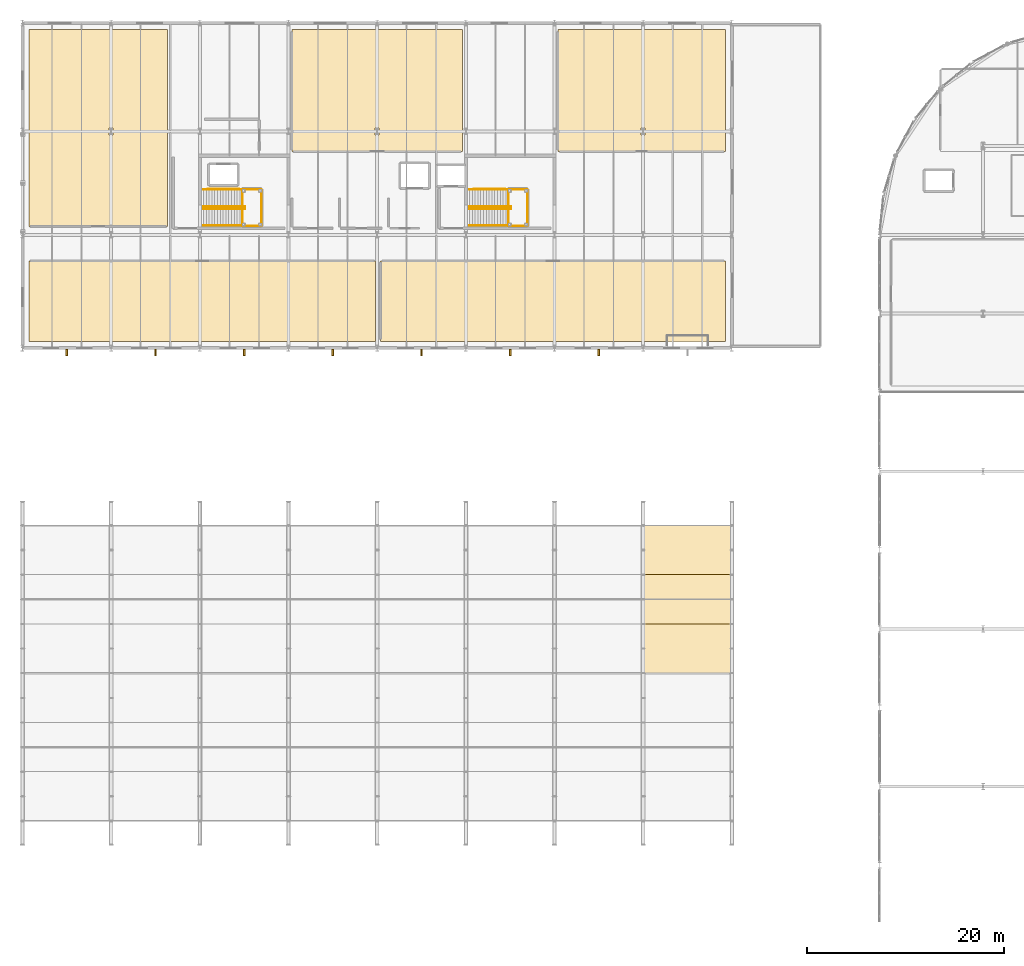
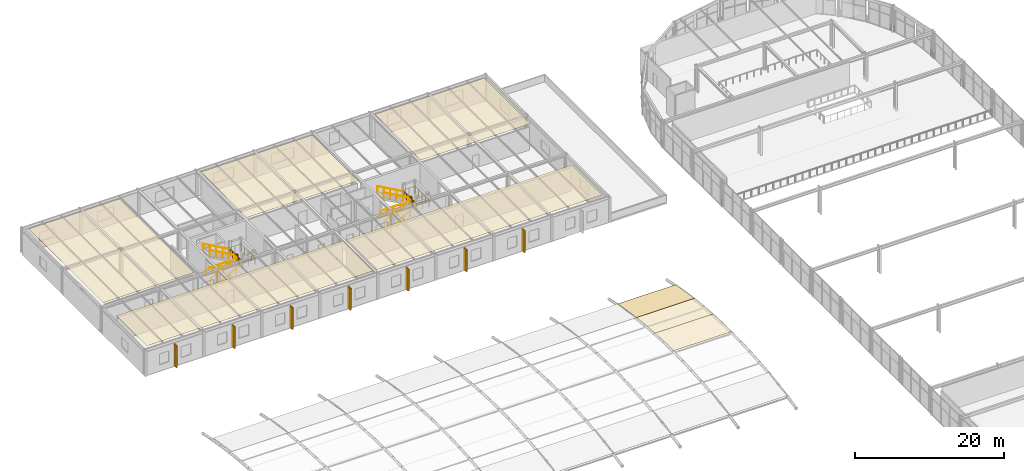
# One storey, part 91 of 105: 14 railings, 8 coverings, 7 shading devices.
"""IFC4 building model written with IfcOpenShell, lengths in metres."""

from ifc_helpers import new_model, si_unit, direction, frame, origin, origin_2d, place, context, subcontext, project, spatial, polyline, rectangle, circle, outline, extrude, material, layer, layer_set, type_object, element, save


model = new_model("IFC4")

# Units and contexts
model_context = context("Model", 3, precision=1e-05, world=origin(), true_north=direction((0.0, 1.0)))
body_context = subcontext(model_context, "Body", "Model", "MODEL_VIEW")
ifc_project = project(units=[si_unit("LENGTHUNIT", "METRE"), si_unit("AREAUNIT", "SQUARE_METRE"), si_unit("VOLUMEUNIT", "CUBIC_METRE"), si_unit("PLANEANGLEUNIT", "RADIAN"), si_unit("MASSUNIT", "GRAM", prefix="KILO")], contexts=[model_context])

# Site, building, storey
site_placement = place(None, origin())
site = spatial("IfcSite", under=ifc_project, at=site_placement, CompositionType="ELEMENT")
building_placement = place(site_placement, origin())
building = spatial("IfcBuilding", under=site, at=building_placement, Name="Marlcrest Central Station", CompositionType="ELEMENT")
storey_placement = place(building_placement, frame((0.0, 0.0, 15.0)))
storey = spatial("IfcBuildingStorey", under=building, at=storey_placement, Name="L03", CompositionType="ELEMENT", Elevation=15.0)

# Coverings
ifc_material_1 = material(Name="Perforated acoustic mineral-fibre ceiling")
ifc_layer_1 = layer(ifc_material_1, 0.02490234375, Name="CV-CLG")
ifc_layer_set_1 = layer_set([ifc_layer_1], Name="Perforated acoustic mineral-fibre ceiling")
covering_type_1 = type_object("IfcCoveringType", Name="CV-CLG", PredefinedType="CEILING", material=ifc_layer_set_1)
covering_1_placement = place(storey_placement, frame((0.0, 0.0, 4.175048828125)))
element("IfcCovering", 1, at=covering_1_placement, inside=storey, type_object=covering_type_1, Name="cov-clg-0125", PredefinedType="CEILING", context=body_context, shape_type="SweptSolid", body=[
    extrude(outline(polyline([(35.840087890625, 99.659912109375), (35.840087890625, 107.840087890625), (0.659912109375, 107.840087890625), (0.659912109375, 99.659912109375), (35.840087890625, 99.659912109375)])), origin(), (0.0, 0.0, 1.0), 0.02490234375),
])
covering_2_placement = place(storey_placement, frame((0.0, 0.0, 4.175048828125)))
element("IfcCovering", 2, at=covering_2_placement, inside=storey, type_object=covering_type_1, Name="cov-clg-0126", PredefinedType="CEILING", context=body_context, shape_type="SweptSolid", body=[
    extrude(outline(polyline([(71.340087890625, 99.659912109375), (71.340087890625, 107.840087890625), (36.360107421875, 107.840087890625), (36.360107421875, 99.659912109375), (71.340087890625, 99.659912109375)])), origin(), (0.0, 0.0, 1.0), 0.02490234375),
])
covering_3_placement = place(storey_placement, frame((0.0, 0.0, 4.175048828125)))
element("IfcCovering", 3, at=covering_3_placement, inside=storey, type_object=covering_type_1, Name="cov-clg-0127", PredefinedType="CEILING", context=body_context, shape_type="SweptSolid", body=[
    extrude(outline(polyline([(0.659912109375, 111.360107421875), (0.659912109375, 131.340087890625), (14.739990234375, 131.340087890625), (14.739990234375, 111.360107421875), (0.659912109375, 111.360107421875)]), holes=[polyline([(9.2099609375, 121.360107421875), (8.7900390625, 121.360107421875), (8.7900390625, 120.639892578125), (9.2099609375, 120.639892578125), (9.2099609375, 121.360107421875)])]), origin(), (0.0, 0.0, 1.0), 0.02490234375),
])
covering_4_placement = place(storey_placement, frame((0.0, 0.0, 4.175048828125)))
element("IfcCovering", 4, at=covering_4_placement, inside=storey, type_object=covering_type_1, Name="cov-clg-0128", PredefinedType="CEILING", context=body_context, shape_type="SweptSolid", body=[
    extrude(outline(polyline([(27.360107421875, 118.9599609375), (27.360107421875, 131.340087890625), (44.639892578125, 131.340087890625), (44.639892578125, 118.9599609375), (27.360107421875, 118.9599609375)]), holes=[polyline([(36.2099609375, 121.360107421875), (35.7900390625, 121.360107421875), (35.7900390625, 120.639892578125), (36.2099609375, 120.639892578125), (36.2099609375, 121.360107421875)])]), origin(), (0.0, 0.0, 1.0), 0.02490234375),
])
covering_5_placement = place(storey_placement, frame((0.0, 0.0, 4.175048828125)))
element("IfcCovering", 5, at=covering_5_placement, inside=storey, type_object=covering_type_1, Name="cov-clg-0129", PredefinedType="CEILING", context=body_context, shape_type="SweptSolid", body=[
    extrude(outline(polyline([(54.360107421875, 118.9599609375), (54.360107421875, 131.340087890625), (71.340087890625, 131.340087890625), (71.340087890625, 118.9599609375), (54.360107421875, 118.9599609375)]), holes=[polyline([(63.2099609375, 121.360107421875), (62.7900390625, 121.360107421875), (62.7900390625, 120.639892578125), (63.2099609375, 120.639892578125), (63.2099609375, 121.360107421875)])]), origin(), (0.0, 0.0, 1.0), 0.02490234375),
])
ifc_material_2 = material(Name="Standing-seam marine-coated aluminium roofing", Category="aluminium")
ifc_layer_2 = layer(ifc_material_2, 0.06494140625, Name="CV-RF2")
ifc_layer_set_2 = layer_set([ifc_layer_2], Name="Standing-seam marine-coated aluminium roofing")
covering_type_2 = type_object("IfcCoveringType", Name="CV-RF2", PredefinedType="ROOFING", material=ifc_layer_set_2)
covering_6_placement = place(storey_placement, frame((63.0, 76.0, 1.37939453125), z_axis=(0.0, 0.153293462578, 0.98818070935), x_axis=(1.0, 0.0, 0.0)))
element("IfcCovering", 6, at=covering_6_placement, inside=storey, type_object=covering_type_2, Name="cov-shed-0112", PredefinedType="ROOFING", context=body_context, shape_type="SweptSolid", body=[
    extrude(outline(polyline([(0.0, 0.0), (9.0, 0.0), (9.0, 5.059803285666958), (0.0, 5.059803285666958), (0.0, 0.0)])), origin(), (0.0, 0.0, -1.0), 0.06494140625),
])
ifc_material_3 = material(Name="Translucent GRP barrel crown roof panel")
ifc_layer_3 = layer(ifc_material_3, 0.054931640625, Name="CV-SK1")
ifc_layer_set_3 = layer_set([ifc_layer_3], Name="Translucent GRP barrel crown roof panel")
covering_type_3 = type_object("IfcCoveringType", Name="CV-SK1", PredefinedType="ROOFING", material=ifc_layer_set_3)
covering_7_placement = place(storey_placement, frame((63.0, 66.0, 2.0), z_axis=(0.0, 0.030990966165, 0.999519664647), x_axis=(1.0, 0.0, 0.0)))
element("IfcCovering", 7, at=covering_7_placement, inside=storey, type_object=covering_type_3, Name="cov-shed-0110", PredefinedType="ROOFING", context=body_context, shape_type="SweptSolid", body=[
    extrude(outline(polyline([(0.0, 0.0), (9.0, 0.0), (9.0, 5.0024028309293085), (0.0, 5.0024028309293085), (0.0, 0.0)])), origin(), (0.0, 0.0, -1.0), 0.054931640625),
])
covering_8_placement = place(storey_placement, frame((63.0, 71.0, 1.844970703125), z_axis=(0.0, 0.092714165239, 0.995692765648), x_axis=(1.0, 0.0, 0.0)))
element("IfcCovering", 8, at=covering_8_placement, inside=storey, type_object=covering_type_3, Name="cov-shed-0111", PredefinedType="ROOFING", context=body_context, shape_type="SweptSolid", body=[
    extrude(outline(polyline([(0.0, 0.0), (9.0, 0.0), (9.0, 5.0216293343712435), (0.0, 5.0216293343712435), (0.0, 0.0)])), origin(), (0.0, 0.0, -1.0), 0.054931640625),
])

# Railings
ifc_material_4 = material(Name="Stainless steel and laminated glass concourse balustrade", Category="steel")
railing_type_1 = type_object("IfcRailingType", Name="GR-02", PredefinedType="BALUSTRADE", material=ifc_material_4)
for number, where, name in (
    (9, (22.320068359375, 111.409912109375, 2.25), "hr-L03-00270"),
    (10, (49.320068359375, 111.409912109375, 2.25), "hr-L03-00275"),
):
    element("IfcRailing", number, at=place(storey_placement, frame(where)), inside=storey, type_object=railing_type_1, Name=name, PredefinedType="BALUSTRADE", context=body_context, shape_type="SweptSolid", body=[
        extrude(circle(Radius=0.02392578125, at=origin_2d()), frame((0.0, 0.0, 1.09619140625), z_axis=(1.0, 0.0, 0.0), x_axis=(0.0, 1.0, 0.0)), (0.0, 0.0, 1.0), 1.919921875),
        extrude(circle(Radius=0.02392578125, at=origin_2d()), frame((1.919921875, 0.0, 1.09619140625), z_axis=(0.0, 1.0, 0.0), x_axis=(-1.0, 0.0, 0.0)), (0.0, 0.0, 1.0), 3.68017578125),
        extrude(circle(Radius=0.02392578125, at=origin_2d()), frame((1.919921875, 3.68017578125, 1.09619140625), z_axis=(-1.0, 0.0, 0.0), x_axis=(0.0, -1.0, 0.0)), (0.0, 0.0, 1.0), 1.919921875),
        extrude(circle(Radius=0.02099609375, at=origin_2d()), origin(), (0.0, 0.0, 1.0), 1.072021484375),
        extrude(circle(Radius=0.02099609375, at=origin_2d()), frame((0.9599609375, 0.0, 0.0)), (0.0, 0.0, 1.0), 1.072021484375),
        extrude(circle(Radius=0.02099609375, at=origin_2d()), frame((1.919921875, 0.0, 0.0)), (0.0, 0.0, 1.0), 1.072021484375),
        extrude(circle(Radius=0.02099609375, at=origin_2d()), frame((1.919921875, 0.919921875, 0.0)), (0.0, 0.0, 1.0), 1.072021484375),
        extrude(circle(Radius=0.02099609375, at=origin_2d()), frame((1.919921875, 1.840087890625, 0.0)), (0.0, 0.0, 1.0), 1.072021484375),
        extrude(circle(Radius=0.02099609375, at=origin_2d()), frame((1.919921875, 2.76025390625, 0.0)), (0.0, 0.0, 1.0), 1.072021484375),
        extrude(circle(Radius=0.02099609375, at=origin_2d()), frame((1.919921875, 3.68017578125, 0.0)), (0.0, 0.0, 1.0), 1.072021484375),
        extrude(circle(Radius=0.02099609375, at=origin_2d()), frame((0.9599609375, 3.68017578125, 0.0)), (0.0, 0.0, 1.0), 1.072021484375),
        extrude(circle(Radius=0.02099609375, at=origin_2d()), frame((0.0, 3.68017578125, 0.0)), (0.0, 0.0, 1.0), 1.072021484375),
    ])
for number, where, name in (
    (11, (48.991943359375, 115.159912109375, 0.0), "hr-L03-00321"),
    (12, (21.991943359375, 115.159912109375, 0.0), "hr-L03-00322"),
):
    element("IfcRailing", number, at=place(storey_placement, frame(where)), inside=storey, type_object=railing_type_1, Name=name, PredefinedType="BALUSTRADE", context=body_context, shape_type="SweptSolid", body=[
        extrude(circle(Radius=0.02392578125, at=origin_2d()), frame((0.0, 0.0, 1.09619140625), z_axis=(-1.0, 0.0, 0.0), x_axis=(0.0, -1.0, 0.0)), (0.0, 0.0, 1.0), 3.171875),
        extrude(circle(Radius=0.02099609375, at=origin_2d()), origin(), (0.0, 0.0, 1.0), 1.072021484375),
        extrude(circle(Radius=0.02099609375, at=origin_2d()), frame((-1.057373046875, 0.0, 0.0)), (0.0, 0.0, 1.0), 1.072021484375),
        extrude(circle(Radius=0.02099609375, at=origin_2d()), frame((-2.114501953125, 0.0, 0.0)), (0.0, 0.0, 1.0), 1.072021484375),
        extrude(circle(Radius=0.02099609375, at=origin_2d()), frame((-3.171875, 0.0, 0.0)), (0.0, 0.0, 1.0), 1.072021484375),
    ])
railing_1_placement = place(storey_placement, frame((22.340087890625, 111.659912109375, 2.25)))
element("IfcRailing", 13, at=railing_1_placement, inside=storey, type_object=railing_type_1, Name="hr-L03-00606", PredefinedType="BALUSTRADE", context=body_context, shape_type="SweptSolid", body=[
    extrude(circle(Radius=0.02392578125, at=origin_2d()), frame((0.0, 0.0, 1.09619140625), z_axis=(0.0, 1.0, 0.0), x_axis=(-1.0, 0.0, 0.0)), (0.0, 0.0, 1.0), 1.469970703125),
    extrude(circle(Radius=0.02392578125, at=origin_2d()), frame((0.0, 1.469970703125, 1.09619140625), z_axis=(1.0, 0.0, 0.0), x_axis=(0.0, 1.0, 0.0)), (0.0, 0.0, 1.0), 0.25),
    extrude(circle(Radius=0.02392578125, at=origin_2d()), frame((0.25, 1.469970703125, 1.09619140625), z_axis=(0.0, 1.0, 0.0), x_axis=(-1.0, 0.0, 0.0)), (0.0, 0.0, 1.0), 0.240234375),
    extrude(circle(Radius=0.02392578125, at=origin_2d()), frame((0.25, 1.710205078125, 1.09619140625), z_axis=(-1.0, 0.0, 0.0), x_axis=(0.0, -1.0, 0.0)), (0.0, 0.0, 1.0), 0.25),
    extrude(circle(Radius=0.02392578125, at=origin_2d()), frame((0.0, 1.710205078125, 1.09619140625), z_axis=(0.0, 1.0, 0.0), x_axis=(-1.0, 0.0, 0.0)), (0.0, 0.0, 1.0), 1.469970703125),
    extrude(circle(Radius=0.02099609375, at=origin_2d()), origin(), (0.0, 0.0, 1.0), 1.072021484375),
    extrude(circle(Radius=0.02099609375, at=origin_2d()), frame((0.0, 0.73486328125, 0.0)), (0.0, 0.0, 1.0), 1.072021484375),
    extrude(circle(Radius=0.02099609375, at=origin_2d()), frame((0.0, 1.469970703125, 0.0)), (0.0, 0.0, 1.0), 1.072021484375),
    extrude(circle(Radius=0.02099609375, at=origin_2d()), frame((0.25, 1.469970703125, 0.0)), (0.0, 0.0, 1.0), 1.072021484375),
    extrude(circle(Radius=0.02099609375, at=origin_2d()), frame((0.25, 1.710205078125, 0.0)), (0.0, 0.0, 1.0), 1.072021484375),
    extrude(circle(Radius=0.02099609375, at=origin_2d()), frame((0.0, 1.710205078125, 0.0)), (0.0, 0.0, 1.0), 1.072021484375),
    extrude(circle(Radius=0.02099609375, at=origin_2d()), frame((0.0, 2.4453125, 0.0)), (0.0, 0.0, 1.0), 1.072021484375),
    extrude(circle(Radius=0.02099609375, at=origin_2d()), frame((0.0, 3.18017578125, 0.0)), (0.0, 0.0, 1.0), 1.072021484375),
])
railing_2_placement = place(storey_placement, frame((49.340087890625, 111.659912109375, 2.25)))
element("IfcRailing", 14, at=railing_2_placement, inside=storey, type_object=railing_type_1, Name="hr-L03-00607", PredefinedType="BALUSTRADE", context=body_context, shape_type="SweptSolid", body=[
    extrude(circle(Radius=0.02392578125, at=origin_2d()), frame((0.0, 0.0, 1.09619140625), z_axis=(0.0, 1.0, 0.0), x_axis=(-1.0, 0.0, 0.0)), (0.0, 0.0, 1.0), 1.469970703125),
    extrude(circle(Radius=0.02392578125, at=origin_2d()), frame((0.0, 1.469970703125, 1.09619140625), z_axis=(1.0, 0.0, 0.0), x_axis=(0.0, 1.0, 0.0)), (0.0, 0.0, 1.0), 0.25),
    extrude(circle(Radius=0.02392578125, at=origin_2d()), frame((0.25, 1.469970703125, 1.09619140625), z_axis=(0.0, 1.0, 0.0), x_axis=(-1.0, 0.0, 0.0)), (0.0, 0.0, 1.0), 0.240234375),
    extrude(circle(Radius=0.02392578125, at=origin_2d()), frame((0.25, 1.710205078125, 1.09619140625), z_axis=(-1.0, 0.0, 0.0), x_axis=(0.0, -1.0, 0.0)), (0.0, 0.0, 1.0), 0.25),
    extrude(circle(Radius=0.02392578125, at=origin_2d()), frame((0.0, 1.710205078125, 1.09619140625), z_axis=(0.0, 1.0, 0.0), x_axis=(-1.0, 0.0, 0.0)), (0.0, 0.0, 1.0), 1.469970703125),
    extrude(circle(Radius=0.02099609375, at=origin_2d()), origin(), (0.0, 0.0, 1.0), 1.072021484375),
    extrude(circle(Radius=0.02099609375, at=origin_2d()), frame((0.0, 0.73486328125, 0.0)), (0.0, 0.0, 1.0), 1.072021484375),
    extrude(circle(Radius=0.02099609375, at=origin_2d()), frame((0.0, 1.469970703125, 0.0)), (0.0, 0.0, 1.0), 1.072021484375),
    extrude(circle(Radius=0.02099609375, at=origin_2d()), frame((0.25, 1.469970703125, 0.0)), (0.0, 0.0, 1.0), 1.072021484375),
    extrude(circle(Radius=0.02099609375, at=origin_2d()), frame((0.25, 1.710205078125, 0.0)), (0.0, 0.0, 1.0), 1.072021484375),
    extrude(circle(Radius=0.02099609375, at=origin_2d()), frame((0.0, 1.710205078125, 0.0)), (0.0, 0.0, 1.0), 1.072021484375),
    extrude(circle(Radius=0.02099609375, at=origin_2d()), frame((0.0, 2.4453125, 0.0)), (0.0, 0.0, 1.0), 1.072021484375),
    extrude(circle(Radius=0.02099609375, at=origin_2d()), frame((0.0, 3.18017578125, 0.0)), (0.0, 0.0, 1.0), 1.072021484375),
])
ifc_material_5 = material(Name="Brushed stainless steel handrail", Category="steel")
railing_type_2 = type_object("IfcRailingType", Name="HR-01", PredefinedType="HANDRAIL", material=ifc_material_5)
railing_3_placement = place(storey_placement, frame((18.3701171875, 111.419921875, 0.0)))
element("IfcRailing", 15, at=railing_3_placement, inside=storey, type_object=railing_type_2, Name="hr-L03-00266", PredefinedType="HANDRAIL", context=body_context, shape_type="SweptSolid", body=[
    extrude(circle(Radius=0.02392578125, at=origin_2d()), frame((0.0, 0.0, 0.89599609375), z_axis=(0.871049806155, 0.0, 0.491194701923), x_axis=(0.0, 1.0, 0.0)), (0.0, 0.0, 1.0), 4.58056640625),
    extrude(circle(Radius=0.02099609375, at=origin_2d()), origin(), (0.0, 0.0, 1.0), 0.871826171875),
    extrude(circle(Radius=0.02099609375, at=origin_2d()), frame((0.99755859375, 0.0, 0.5625)), (0.0, 0.0, 1.0), 0.871826171875),
    extrude(circle(Radius=0.02099609375, at=origin_2d()), frame((1.9951171875, 0.0, 1.125)), (0.0, 0.0, 1.0), 0.871826171875),
    extrude(circle(Radius=0.02099609375, at=origin_2d()), frame((2.992431640625, 0.0, 1.6875)), (0.0, 0.0, 1.0), 0.871826171875),
    extrude(circle(Radius=0.02099609375, at=origin_2d()), frame((3.989990234375, 0.0, 2.25)), (0.0, 0.0, 1.0), 0.871826171875),
])
railing_4_placement = place(storey_placement, frame((22.360107421875, 113.3798828125, 2.25)))
element("IfcRailing", 16, at=railing_4_placement, inside=storey, type_object=railing_type_2, Name="hr-L03-00267", PredefinedType="HANDRAIL", context=body_context, shape_type="SweptSolid", body=[
    extrude(circle(Radius=0.02392578125, at=origin_2d()), frame((0.0, 0.0, 0.89599609375), z_axis=(-0.871049806155, 0.0, 0.491194701923), x_axis=(0.0, -1.0, 0.0)), (0.0, 0.0, 1.0), 4.58056640625),
    extrude(circle(Radius=0.02099609375, at=origin_2d()), origin(), (0.0, 0.0, 1.0), 0.871826171875),
    extrude(circle(Radius=0.02099609375, at=origin_2d()), frame((-0.99755859375, 0.0, 0.5625)), (0.0, 0.0, 1.0), 0.871826171875),
    extrude(circle(Radius=0.02099609375, at=origin_2d()), frame((-1.9951171875, 0.0, 1.125)), (0.0, 0.0, 1.0), 0.871826171875),
    extrude(circle(Radius=0.02099609375, at=origin_2d()), frame((-2.992431640625, 0.0, 1.6875)), (0.0, 0.0, 1.0), 0.871826171875),
    extrude(circle(Radius=0.02099609375, at=origin_2d()), frame((-3.989990234375, 0.0, 2.25)), (0.0, 0.0, 1.0), 0.871826171875),
])
railing_5_placement = place(storey_placement, frame((18.3701171875, 113.1201171875, 0.0)))
element("IfcRailing", 17, at=railing_5_placement, inside=storey, type_object=railing_type_2, Name="hr-L03-00268", PredefinedType="HANDRAIL", context=body_context, shape_type="SweptSolid", body=[
    extrude(circle(Radius=0.02392578125, at=origin_2d()), frame((0.0, 0.0, 0.89599609375), z_axis=(0.871049806155, 0.0, 0.491194701923), x_axis=(0.0, 1.0, 0.0)), (0.0, 0.0, 1.0), 4.58056640625),
    extrude(circle(Radius=0.02099609375, at=origin_2d()), origin(), (0.0, 0.0, 1.0), 0.871826171875),
    extrude(circle(Radius=0.02099609375, at=origin_2d()), frame((0.99755859375, 0.0, 0.5625)), (0.0, 0.0, 1.0), 0.871826171875),
    extrude(circle(Radius=0.02099609375, at=origin_2d()), frame((1.9951171875, 0.0, 1.125)), (0.0, 0.0, 1.0), 0.871826171875),
    extrude(circle(Radius=0.02099609375, at=origin_2d()), frame((2.992431640625, 0.0, 1.6875)), (0.0, 0.0, 1.0), 0.871826171875),
    extrude(circle(Radius=0.02099609375, at=origin_2d()), frame((3.989990234375, 0.0, 2.25)), (0.0, 0.0, 1.0), 0.871826171875),
])
railing_6_placement = place(storey_placement, frame((22.360107421875, 115.080078125, 2.25)))
element("IfcRailing", 18, at=railing_6_placement, inside=storey, type_object=railing_type_2, Name="hr-L03-00269", PredefinedType="HANDRAIL", context=body_context, shape_type="SweptSolid", body=[
    extrude(circle(Radius=0.02392578125, at=origin_2d()), frame((0.0, 0.0, 0.89599609375), z_axis=(-0.871049806155, 0.0, 0.491194701923), x_axis=(0.0, -1.0, 0.0)), (0.0, 0.0, 1.0), 4.58056640625),
    extrude(circle(Radius=0.02099609375, at=origin_2d()), origin(), (0.0, 0.0, 1.0), 0.871826171875),
    extrude(circle(Radius=0.02099609375, at=origin_2d()), frame((-0.99755859375, 0.0, 0.5625)), (0.0, 0.0, 1.0), 0.871826171875),
    extrude(circle(Radius=0.02099609375, at=origin_2d()), frame((-1.9951171875, 0.0, 1.125)), (0.0, 0.0, 1.0), 0.871826171875),
    extrude(circle(Radius=0.02099609375, at=origin_2d()), frame((-2.992431640625, 0.0, 1.6875)), (0.0, 0.0, 1.0), 0.871826171875),
    extrude(circle(Radius=0.02099609375, at=origin_2d()), frame((-3.989990234375, 0.0, 2.25)), (0.0, 0.0, 1.0), 0.871826171875),
])
railing_7_placement = place(storey_placement, frame((45.3701171875, 111.419921875, 0.0)))
element("IfcRailing", 19, at=railing_7_placement, inside=storey, type_object=railing_type_2, Name="hr-L03-00271", PredefinedType="HANDRAIL", context=body_context, shape_type="SweptSolid", body=[
    extrude(circle(Radius=0.02392578125, at=origin_2d()), frame((0.0, 0.0, 0.89599609375), z_axis=(0.871049806155, 0.0, 0.491194701923), x_axis=(0.0, 1.0, 0.0)), (0.0, 0.0, 1.0), 4.58056640625),
    extrude(circle(Radius=0.02099609375, at=origin_2d()), origin(), (0.0, 0.0, 1.0), 0.871826171875),
    extrude(circle(Radius=0.02099609375, at=origin_2d()), frame((0.99755859375, 0.0, 0.5625)), (0.0, 0.0, 1.0), 0.871826171875),
    extrude(circle(Radius=0.02099609375, at=origin_2d()), frame((1.9951171875, 0.0, 1.125)), (0.0, 0.0, 1.0), 0.871826171875),
    extrude(circle(Radius=0.02099609375, at=origin_2d()), frame((2.992431640625, 0.0, 1.6875)), (0.0, 0.0, 1.0), 0.871826171875),
    extrude(circle(Radius=0.02099609375, at=origin_2d()), frame((3.989990234375, 0.0, 2.25)), (0.0, 0.0, 1.0), 0.871826171875),
])
railing_8_placement = place(storey_placement, frame((49.360107421875, 113.3798828125, 2.25)))
element("IfcRailing", 20, at=railing_8_placement, inside=storey, type_object=railing_type_2, Name="hr-L03-00272", PredefinedType="HANDRAIL", context=body_context, shape_type="SweptSolid", body=[
    extrude(circle(Radius=0.02392578125, at=origin_2d()), frame((0.0, 0.0, 0.89599609375), z_axis=(-0.871049806155, 0.0, 0.491194701923), x_axis=(0.0, -1.0, 0.0)), (0.0, 0.0, 1.0), 4.58056640625),
    extrude(circle(Radius=0.02099609375, at=origin_2d()), origin(), (0.0, 0.0, 1.0), 0.871826171875),
    extrude(circle(Radius=0.02099609375, at=origin_2d()), frame((-0.99755859375, 0.0, 0.5625)), (0.0, 0.0, 1.0), 0.871826171875),
    extrude(circle(Radius=0.02099609375, at=origin_2d()), frame((-1.9951171875, 0.0, 1.125)), (0.0, 0.0, 1.0), 0.871826171875),
    extrude(circle(Radius=0.02099609375, at=origin_2d()), frame((-2.992431640625, 0.0, 1.6875)), (0.0, 0.0, 1.0), 0.871826171875),
    extrude(circle(Radius=0.02099609375, at=origin_2d()), frame((-3.989990234375, 0.0, 2.25)), (0.0, 0.0, 1.0), 0.871826171875),
])
railing_9_placement = place(storey_placement, frame((45.3701171875, 113.1201171875, 0.0)))
element("IfcRailing", 21, at=railing_9_placement, inside=storey, type_object=railing_type_2, Name="hr-L03-00273", PredefinedType="HANDRAIL", context=body_context, shape_type="SweptSolid", body=[
    extrude(circle(Radius=0.02392578125, at=origin_2d()), frame((0.0, 0.0, 0.89599609375), z_axis=(0.871049806155, 0.0, 0.491194701923), x_axis=(0.0, 1.0, 0.0)), (0.0, 0.0, 1.0), 4.58056640625),
    extrude(circle(Radius=0.02099609375, at=origin_2d()), origin(), (0.0, 0.0, 1.0), 0.871826171875),
    extrude(circle(Radius=0.02099609375, at=origin_2d()), frame((0.99755859375, 0.0, 0.5625)), (0.0, 0.0, 1.0), 0.871826171875),
    extrude(circle(Radius=0.02099609375, at=origin_2d()), frame((1.9951171875, 0.0, 1.125)), (0.0, 0.0, 1.0), 0.871826171875),
    extrude(circle(Radius=0.02099609375, at=origin_2d()), frame((2.992431640625, 0.0, 1.6875)), (0.0, 0.0, 1.0), 0.871826171875),
    extrude(circle(Radius=0.02099609375, at=origin_2d()), frame((3.989990234375, 0.0, 2.25)), (0.0, 0.0, 1.0), 0.871826171875),
])
railing_10_placement = place(storey_placement, frame((49.360107421875, 115.080078125, 2.25)))
element("IfcRailing", 22, at=railing_10_placement, inside=storey, type_object=railing_type_2, Name="hr-L03-00274", PredefinedType="HANDRAIL", context=body_context, shape_type="SweptSolid", body=[
    extrude(circle(Radius=0.02392578125, at=origin_2d()), frame((0.0, 0.0, 0.89599609375), z_axis=(-0.871049806155, 0.0, 0.491194701923), x_axis=(0.0, -1.0, 0.0)), (0.0, 0.0, 1.0), 4.58056640625),
    extrude(circle(Radius=0.02099609375, at=origin_2d()), origin(), (0.0, 0.0, 1.0), 0.871826171875),
    extrude(circle(Radius=0.02099609375, at=origin_2d()), frame((-0.99755859375, 0.0, 0.5625)), (0.0, 0.0, 1.0), 0.871826171875),
    extrude(circle(Radius=0.02099609375, at=origin_2d()), frame((-1.9951171875, 0.0, 1.125)), (0.0, 0.0, 1.0), 0.871826171875),
    extrude(circle(Radius=0.02099609375, at=origin_2d()), frame((-2.992431640625, 0.0, 1.6875)), (0.0, 0.0, 1.0), 0.871826171875),
    extrude(circle(Radius=0.02099609375, at=origin_2d()), frame((-3.989990234375, 0.0, 2.25)), (0.0, 0.0, 1.0), 0.871826171875),
])

# Shading devices
ifc_material_6 = material(Name="Precast concrete C40/50", Category="concrete")
shading_device_type = type_object("IfcShadingDeviceType", Name="SD-BS1", PredefinedType="USERDEFINED", material=ifc_material_6)
for number, where, z_axis, x_axis, name in (
    (23, (4.5, 98.550048828125, 0.125), (0.0, 0.0, 1.0), (1.0, 0.0, 0.0), "shd-L03-0047"),
    (24, (13.5, 98.550048828125, 0.125), (0.0, 0.0, 1.0), (1.0, 0.0, 0.0), "shd-L03-0048"),
    (25, (22.5, 98.550048828125, 0.125), (0.0, 0.0, 1.0), (1.0, 0.0, 0.0), "shd-L03-0049"),
    (26, (31.5, 98.550048828125, 0.125), (0.0, 0.0, 1.0), (1.0, 0.0, 0.0), "shd-L03-0050"),
    (27, (40.5, 98.550048828125, 0.125), (0.0, 0.0, 1.0), (1.0, 0.0, 0.0), "shd-L03-0051"),
    (28, (49.5, 98.550048828125, 0.125), (0.0, 0.0, 1.0), (1.0, 0.0, 0.0), "shd-L03-0052"),
    (29, (58.5, 98.550048828125, 0.125), (0.0, 0.0, 1.0), (1.0, 0.0, 0.0), "shd-L03-0053"),
):
    element("IfcShadingDevice", number, at=place(storey_placement, frame(where, z_axis=z_axis, x_axis=x_axis)), inside=storey, type_object=shading_device_type, Name=name, ObjectType="BRISE_SOLEIL", PredefinedType="USERDEFINED", context=body_context, shape_type="SweptSolid", body=[
        extrude(rectangle(XDim=0.179931640625, YDim=0.64990234375, at=origin_2d()), origin(), (0.0, 0.0, 1.0), 3.60009765625),
    ])

save(model, "model.ifc")
